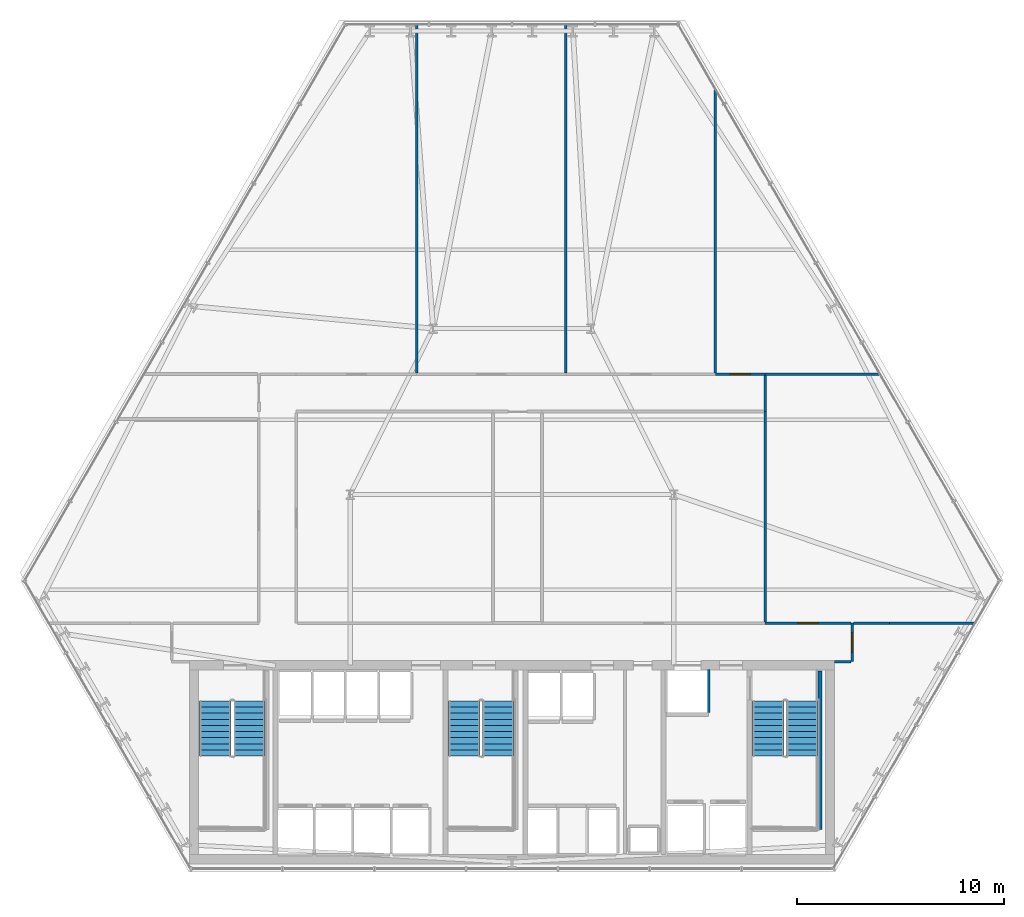
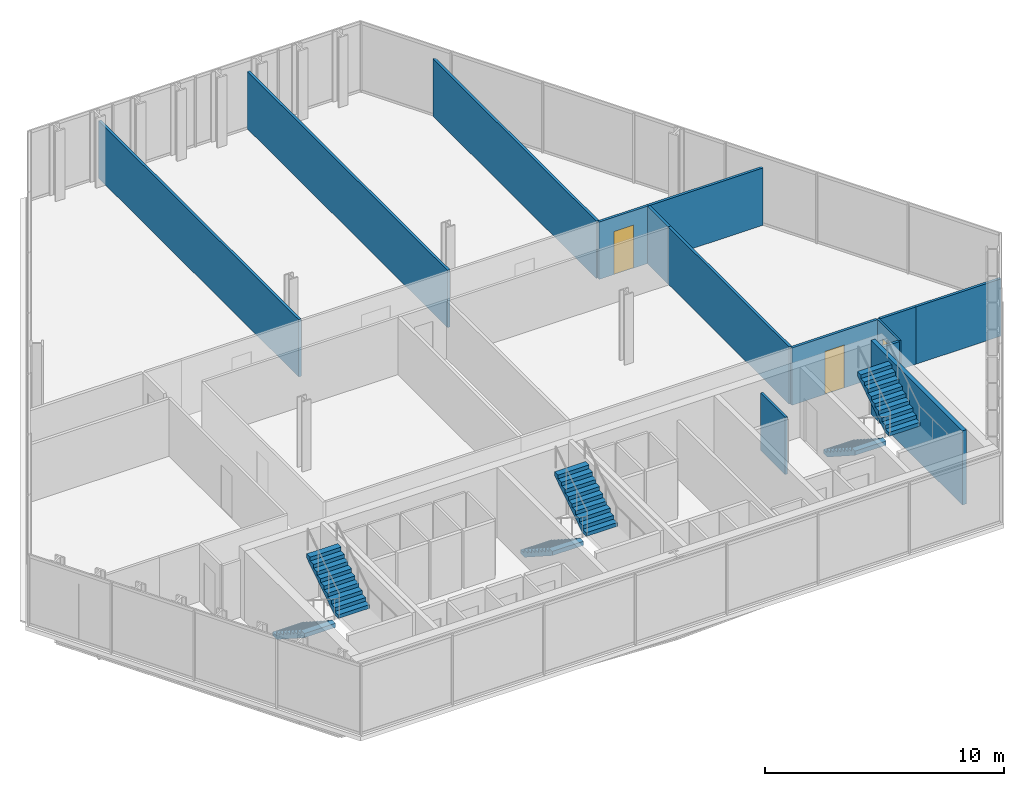
# One storey, part 29 of 32: 14 walls, 6 stair flights, 3 doors, 3 openings, 3 elements without a shape of their own.
"""IFC4 building model written with IfcOpenShell, lengths in metres."""

from ifc_helpers import new_model, si_unit, direction, frame, frame_2d, origin, place, context, subcontext, project, spatial, polyline, rectangle, outline, extrude, material, layer, layer_set, type_object, element, fill, aggregate, save


model = new_model("IFC4")

# Units and contexts
model_context = context("Model", 3, precision=1e-05, world=origin(), true_north=direction((0.0, 1.0)))
body_context = subcontext(model_context, "Body", "Model", "MODEL_VIEW")
ifc_project = project(units=[si_unit("LENGTHUNIT", "METRE"), si_unit("AREAUNIT", "SQUARE_METRE"), si_unit("VOLUMEUNIT", "CUBIC_METRE"), si_unit("PLANEANGLEUNIT", "RADIAN"), si_unit("MASSUNIT", "GRAM", prefix="KILO")], contexts=[model_context])

# Site, building, storey
site_placement = place(None, origin())
site = spatial("IfcSite", under=ifc_project, at=site_placement, CompositionType="ELEMENT")
building_placement = place(site_placement, origin())
building = spatial("IfcBuilding", under=site, at=building_placement, Name="Ndaravel Arena Tower", CompositionType="ELEMENT")
storey_placement = place(building_placement, frame((0.0, 0.0, 47.39990234375)))
storey = spatial("IfcBuildingStorey", under=building, at=storey_placement, Name="L09", CompositionType="ELEMENT", Elevation=47.39990234375)

# Wall, opening, door
ifc_material_1 = material(Name="Timber", Category="wood")
ifc_layer_1 = layer(ifc_material_1, 0.10009765625)
ifc_layer_set_1 = layer_set([ifc_layer_1], Name="Timber")
wall_type_1 = type_object("IfcWallType", Name="WALL-MOVABLE-100", PredefinedType="MOVABLE", material=ifc_layer_set_1)
wall_1_placement = place(storey_placement, frame((58.39990234375, 17.0, 0.0), z_axis=(0.0, 0.0, 1.0), x_axis=(0.0, -1.0, 0.0)))
wall_1 = element("IfcWall", 1, at=wall_1_placement, inside=storey, type_object=wall_type_1, Name="L09 Interior Partition 001", PredefinedType="MOVABLE", context=body_context, shape_type="SweptSolid", body=[
    extrude(rectangle(XDim=1.85009765625, YDim=0.10009765625, at=frame_2d((0.925048828125, 0.0))), origin(), (0.0, 0.0, 1.0), 2.932861328125),
])
opening_1_placement = place(wall_1_placement, frame((0.449951171875, 0.0, 0.0)))
opening_1 = element("IfcOpeningElement", 2, at=opening_1_placement, cuts=wall_1, Name="Opening ID-01", PredefinedType="OPENING", context=body_context, shape_type="SweptSolid", body=[
    extrude(rectangle(XDim=0.949951171875, YDim=2.199951171875, at=frame_2d((0.47509765625, 1.10009765625))), frame((0.0, 0.050048828125, 0.0), z_axis=(0.0, -1.0, 0.0), x_axis=(1.0, 0.0, 0.0)), (0.0, 0.0, 1.0), 0.10009765625),
])
ifc_material_2 = material(Name="Timber", Category="wood")
door_type = type_object("IfcDoorType", Name="DT-03-OFFICE-950", OperationType="SINGLE_SWING_LEFT", PredefinedType="DOOR", material=ifc_material_2)
door_1_placement = place(opening_1_placement, origin())
door_1 = element("IfcDoor", 3, at=door_1_placement, inside=storey, type_object=door_type, Name="L09 Collaborative Lounge Door", OperationType="SINGLE_SWING_LEFT", OverallHeight=2.199951171875, OverallWidth=0.949951171875, PredefinedType="DOOR", context=body_context, shape_type="SweptSolid", body=[
    extrude(rectangle(XDim=0.949951171875, YDim=2.199951171875, at=frame_2d((0.47509765625, 1.10009765625))), frame((0.0, 0.02490234375, 0.0), z_axis=(0.0, -1.0, 0.0), x_axis=(1.0, 0.0, 0.0)), (0.0, 0.0, 1.0), 0.050048828125),
])
fill(opening_1, door_1)

# Wall
ifc_material_3 = material(Name="Gypsum", Category="gypsum")
ifc_layer_2 = layer(ifc_material_3, 0.125)
ifc_layer_set_2 = layer_set([ifc_layer_2], Name="Gypsum")
wall_type_2 = type_object("IfcWallType", Name="WALL-PART-125", PredefinedType="PARTITIONING", material=ifc_layer_set_2)
wall_2_placement = place(storey_placement, frame((58.3349609375, 15.14990234375, 0.0), z_axis=(0.0, 0.0, 1.0), x_axis=(-1.0, 0.0, 0.0)))
element("IfcWall", 4, at=wall_2_placement, inside=storey, type_object=wall_type_2, Name="L09 Interior Partition 002", PredefinedType="PARTITIONING", context=body_context, shape_type="SweptSolid", body=[
    extrude(rectangle(XDim=0.784912109375, YDim=0.125, at=frame_2d((0.392578125, 0.0))), origin(), (0.0, 0.0, 1.0), 2.932861328125),
])

# Wall, opening, door
wall_3_placement = place(storey_placement, frame((51.800048828125, 29.0, 0.0), z_axis=(0.0, 0.0, 1.0), x_axis=(1.0, 0.0, 0.0)))
wall_3 = element("IfcWall", 5, at=wall_3_placement, inside=storey, type_object=wall_type_2, Name="L09 Interior Partition 012", PredefinedType="PARTITIONING", context=body_context, shape_type="SweptSolid", body=[
    extrude(rectangle(XDim=2.39990234375, YDim=0.125, at=frame_2d((1.199951171875, 0.0))), origin(), (0.0, 0.0, 1.0), 2.932861328125),
])
opening_2_placement = place(wall_3_placement, frame((0.72509765625, 0.0, 0.0)))
opening_2 = element("IfcOpeningElement", 6, at=opening_2_placement, cuts=wall_3, Name="Opening ID-01", PredefinedType="OPENING", context=body_context, shape_type="SweptSolid", body=[
    extrude(rectangle(XDim=0.949951171875, YDim=2.199951171875, at=frame_2d((0.47509765625, 1.10009765625))), frame((0.0, 0.0625, 0.0), z_axis=(0.0, -1.0, 0.0), x_axis=(1.0, 0.0, 0.0)), (0.0, 0.0, 1.0), 0.125),
])
door_2_placement = place(opening_2_placement, origin())
door_2 = element("IfcDoor", 7, at=door_2_placement, inside=storey, type_object=door_type, Name="L09 Hospitality Sitting Room 2 Door", OperationType="SINGLE_SWING_RIGHT", OverallHeight=2.199951171875, OverallWidth=0.949951171875, PredefinedType="DOOR", context=body_context, shape_type="SweptSolid", body=[
    extrude(rectangle(XDim=0.949951171875, YDim=2.199951171875, at=frame_2d((0.47509765625, 1.10009765625))), frame((0.0, 0.02490234375, 0.0), z_axis=(0.0, -1.0, 0.0), x_axis=(1.0, 0.0, 0.0)), (0.0, 0.0, 1.0), 0.050048828125),
])
fill(opening_2, door_2)

# Wall
wall_4_placement = place(storey_placement, frame((54.199951171875, 28.93505859375, 0.0), z_axis=(0.0, 0.0, 1.0), x_axis=(0.0, -1.0, 0.0)))
element("IfcWall", 8, at=wall_4_placement, inside=storey, type_object=wall_type_2, Name="L09 Interior Partition 013", PredefinedType="PARTITIONING", context=body_context, shape_type="SweptSolid", body=[
    extrude(rectangle(XDim=1.735107421875, YDim=0.125, at=frame_2d((0.86767578125, 0.0))), origin(), (0.0, 0.0, 1.0), 2.932861328125),
])

# Wall, opening, door
wall_5_placement = place(storey_placement, frame((54.199951171875, 17.0, 0.0), z_axis=(0.0, 0.0, 1.0), x_axis=(1.0, 0.0, 0.0)))
wall_5 = element("IfcWall", 9, at=wall_5_placement, inside=storey, type_object=wall_type_2, Name="L09 Interior Partition 021", PredefinedType="PARTITIONING", context=body_context, shape_type="SweptSolid", body=[
    extrude(rectangle(XDim=4.135009765625, YDim=0.125, at=frame_2d((2.0673828125, 0.0))), origin(), (0.0, 0.0, 1.0), 2.932861328125),
])
opening_3_placement = place(wall_5_placement, frame((1.592529296875, 0.0, 0.0)))
opening_3 = element("IfcOpeningElement", 10, at=opening_3_placement, cuts=wall_5, Name="Opening ID-01", PredefinedType="OPENING", context=body_context, shape_type="SweptSolid", body=[
    extrude(rectangle(XDim=0.949951171875, YDim=2.199951171875, at=frame_2d((0.47509765625, 1.10009765625))), frame((0.0, 0.0625, 0.0), z_axis=(0.0, -1.0, 0.0), x_axis=(1.0, 0.0, 0.0)), (0.0, 0.0, 1.0), 0.125),
])
door_3_placement = place(opening_3_placement, origin())
door_3 = element("IfcDoor", 11, at=door_3_placement, inside=storey, type_object=door_type, Name="L09 Advisory Desk Office 3 Door", OperationType="SINGLE_SWING_RIGHT", OverallHeight=2.199951171875, OverallWidth=0.949951171875, PredefinedType="DOOR", context=body_context, shape_type="SweptSolid", body=[
    extrude(rectangle(XDim=0.949951171875, YDim=2.199951171875, at=frame_2d((0.47509765625, 1.10009765625))), frame((0.0, 0.02490234375, 0.0), z_axis=(0.0, -1.0, 0.0), x_axis=(1.0, 0.0, 0.0)), (0.0, 0.0, 1.0), 0.050048828125),
])
fill(opening_3, door_3)

# Walls
wall_6_placement = place(storey_placement, frame((58.465087890625, 17.0, 0.0), z_axis=(0.0, 0.0, 1.0), x_axis=(1.0, 0.0, 0.0)))
element("IfcWall", 12, at=wall_6_placement, inside=storey, type_object=wall_type_2, Name="L09 Interior Partition 024", PredefinedType="PARTITIONING", context=body_context, shape_type="SweptSolid", body=[
    extrude(rectangle(XDim=1.73486328125, YDim=0.125, at=frame_2d((0.867431640625, 0.0))), origin(), (0.0, 0.0, 1.0), 2.932861328125),
])
wall_7_placement = place(storey_placement, frame((60.199951171875, 17.0, 0.0), z_axis=(0.0, 0.0, 1.0), x_axis=(1.0, 0.0, 0.0)))
element("IfcWall", 13, at=wall_7_placement, inside=storey, type_object=wall_type_2, Name="L09 Interior Partition 025", PredefinedType="PARTITIONING", context=body_context, shape_type="SweptSolid", body=[
    extrude(rectangle(XDim=4.11572265625, YDim=0.125, at=frame_2d((2.057861328125, 0.0))), origin(), (0.0, 0.0, 1.0), 2.932861328125),
])
wall_8_placement = place(storey_placement, frame((54.199951171875, 27.199951171875, 0.0), z_axis=(0.0, 0.0, 1.0), x_axis=(0.0, -1.0, 0.0)))
element("IfcWall", 14, at=wall_8_placement, inside=storey, type_object=wall_type_2, Name="L09 Interior Partition 029", PredefinedType="PARTITIONING", context=body_context, shape_type="SweptSolid", body=[
    extrude(rectangle(XDim=10.135009765625, YDim=0.125, at=frame_2d((5.0673828125, 0.0))), origin(), (0.0, 0.0, 1.0), 2.932861328125),
])
wall_9_placement = place(storey_placement, frame((54.199951171875, 29.0, 0.0), z_axis=(0.0, 0.0, 1.0), x_axis=(1.0, 0.0, 0.0)))
element("IfcWall", 15, at=wall_9_placement, inside=storey, type_object=wall_type_2, Name="L09 Interior Partition 030", PredefinedType="PARTITIONING", context=body_context, shape_type="SweptSolid", body=[
    extrude(rectangle(XDim=5.54248046875, YDim=0.125, at=frame_2d((2.771240234375, 0.0))), origin(), (0.0, 0.0, 1.0), 2.932861328125),
])
wall_10_placement = place(storey_placement, frame((51.800048828125, 29.06494140625, 0.0), z_axis=(0.0, 0.0, 1.0), x_axis=(0.0, 1.0, 0.0)))
element("IfcWall", 16, at=wall_10_placement, inside=storey, type_object=wall_type_2, Name="L09 Interior Partition 032", PredefinedType="PARTITIONING", context=body_context, shape_type="SweptSolid", body=[
    extrude(rectangle(XDim=13.69189453125, YDim=0.125, at=frame_2d((6.845947265625, 0.0))), origin(), (0.0, 0.0, 1.0), 2.932861328125),
])
for number, where, z_axis, x_axis, name in (
    (17, (37.39990234375, 45.851318359375, 0.0), (0.0, 0.0, 1.0), (0.0, -1.0, 0.0), "L09 Interior Partition 033"),
    (18, (44.60009765625, 29.06494140625, 0.0), (0.0, 0.0, 1.0), (0.0, 1.0, 0.0), "L09 Interior Partition 034"),
):
    element("IfcWall", number, at=place(storey_placement, frame(where, z_axis=z_axis, x_axis=x_axis)), inside=storey, type_object=wall_type_2, Name=name, PredefinedType="PARTITIONING", context=body_context, shape_type="SweptSolid", body=[
        extrude(rectangle(XDim=16.786376953125, YDim=0.125, at=frame_2d((8.39306640625, 0.0))), origin(), (0.0, 0.0, 1.0), 2.932861328125),
    ])
ifc_material_4 = material(Name="Concrete C40/50", Category="concrete")
ifc_layer_3 = layer(ifc_material_4, 0.1201171875)
ifc_layer_set_3 = layer_set([ifc_layer_3], Name="Concrete C40/50")
wall_type_3 = type_object("IfcWallType", Name="WALL-SHAFT-120", PredefinedType="SOLIDWALL", material=ifc_layer_set_3)
wall_11_placement = place(storey_placement, frame((51.47998046875, 12.68994140625, 0.0), z_axis=(0.0, 0.0, 1.0), x_axis=(0.0, 1.0, 0.0)))
element("IfcWall", 19, at=wall_11_placement, inside=storey, type_object=wall_type_3, Name="L09 SVL-1 Shaft E Wall", PredefinedType="SOLIDWALL", context=body_context, shape_type="SweptSolid", body=[
    extrude(rectangle(XDim=2.070068359375, YDim=0.1201171875, at=frame_2d((1.03515625, 0.0))), origin(), (0.0, 0.0, 1.0), 2.932861328125),
])
ifc_material_5 = material(Name="Concrete C40/50", Category="concrete")
ifc_layer_4 = layer(ifc_material_5, 0.199951171875)
ifc_layer_set_4 = layer_set([ifc_layer_4], Name="Concrete C40/50")
wall_type_4 = type_object("IfcWallType", Name="WALL-SHAFT-200", PredefinedType="SOLIDWALL", material=ifc_layer_set_4)
wall_12_placement = place(storey_placement, frame((56.840087890625, 14.699951171875, 0.0), z_axis=(0.0, 0.0, 1.0), x_axis=(0.0, -1.0, 0.0)))
element("IfcWall", 20, at=wall_12_placement, inside=storey, type_object=wall_type_4, Name="L09 ST-3 Structural Shaft Wall Right", PredefinedType="SOLIDWALL", context=body_context, shape_type="SweptSolid", body=[
    extrude(rectangle(XDim=7.64990234375, YDim=0.199951171875, at=frame_2d((3.824951171875, 0.0))), origin(), (0.0, 0.0, 1.0), 3.800048828125),
])

# Stair, stair flights
ifc_material_6 = material(Name="Concrete C40/50", Category="concrete")
stair_type = type_object("IfcStairType", Name="STAIR-CORE-HT", PredefinedType="HALF_TURN_STAIR", material=ifc_material_6)
stair_1_placement = place(storey_placement, origin())
stair_1 = element("IfcStair", 21, at=stair_1_placement, inside=storey, type_object=stair_type, Name="L09 ST-1", PredefinedType="HALF_TURN_STAIR")
ifc_material_7 = material(Name="Concrete C40/50", Category="concrete")
stair_flight_type = type_object("IfcStairFlightType", Name="SFLIGHT-CORE-1680", PredefinedType="STRAIGHT", material=ifc_material_7)
stair_flight_1_placement = place(storey_placement, frame((27.699951171875, 13.25, 0.0), z_axis=(0.0, 0.0, 1.0), x_axis=(0.0, -1.0, 0.0)))
stair_flight_1 = element("IfcStairFlight", 22, at=stair_flight_1_placement, type_object=stair_flight_type, Name="ST-1 flight 1", NumberOfRisers=10, NumberOfTreads=9, PredefinedType="STRAIGHT", RiserHeight=0.19, TreadLength=0.295, context=body_context, shape_type="SweptSolid", body=[
    extrude(outline(polyline([(0.0, 0.0), (0.0, 0.18994140625), (0.294921875, 0.18994140625), (0.294921875, 0.3798828125), (0.590087890625, 0.3798828125), (0.590087890625, 0.570068359375), (0.885009765625, 0.570068359375), (0.885009765625, 0.760009765625), (1.179931640625, 0.760009765625), (1.179931640625, 0.949951171875), (1.47509765625, 0.949951171875), (1.47509765625, 1.139892578125), (1.77001953125, 1.139892578125), (1.77001953125, 1.330078125), (2.06494140625, 1.330078125), (2.06494140625, 1.52001953125), (2.360107421875, 1.52001953125), (2.360107421875, 1.7099609375), (2.655029296875, 1.7099609375), (2.655029296875, 1.89990234375), (2.655029296875, 1.49609375), (0.332275390625, 0.0), (0.0, 0.0)])), frame((0.0, 0.75, 0.0), z_axis=(0.0, -1.0, 0.0), x_axis=(1.0, 0.0, 0.0)), (0.0, 0.0, 1.0), 1.5),
])
stair_flight_2_placement = place(storey_placement, frame((29.340087890625, 10.594970703125, 1.900146484375), z_axis=(0.0, 0.0, 1.0), x_axis=(0.0, 1.0, 0.0)))
stair_flight_2 = element("IfcStairFlight", 23, at=stair_flight_2_placement, type_object=stair_flight_type, Name="ST-1 flight 2", NumberOfRisers=10, NumberOfTreads=9, PredefinedType="STRAIGHT", RiserHeight=0.19, TreadLength=0.295, context=body_context, shape_type="SweptSolid", body=[
    extrude(outline(polyline([(0.0, 0.0), (0.0, 0.18994140625), (0.294921875, 0.18994140625), (0.294921875, 0.3798828125), (0.590087890625, 0.3798828125), (0.590087890625, 0.570068359375), (0.885009765625, 0.570068359375), (0.885009765625, 0.760009765625), (1.179931640625, 0.760009765625), (1.179931640625, 0.949951171875), (1.47509765625, 0.949951171875), (1.47509765625, 1.139892578125), (1.77001953125, 1.139892578125), (1.77001953125, 1.330078125), (2.06494140625, 1.330078125), (2.06494140625, 1.52001953125), (2.360107421875, 1.52001953125), (2.360107421875, 1.7099609375), (2.655029296875, 1.7099609375), (2.655029296875, 1.89990234375), (2.655029296875, 1.49609375), (0.332275390625, 0.0), (0.0, 0.0)])), frame((0.0, 0.75, 0.0), z_axis=(0.0, -1.0, 0.0), x_axis=(1.0, 0.0, 0.0)), (0.0, 0.0, 1.0), 1.5),
])
aggregate(stair_1, [stair_flight_1, stair_flight_2])

stair_2_placement = place(storey_placement, origin())
stair_2 = element("IfcStair", 24, at=stair_2_placement, inside=storey, type_object=stair_type, Name="L09 ST-2", PredefinedType="HALF_TURN_STAIR")
stair_flight_3_placement = place(storey_placement, frame((39.699951171875, 13.25, 0.0), z_axis=(0.0, 0.0, 1.0), x_axis=(0.0, -1.0, 0.0)))
stair_flight_3 = element("IfcStairFlight", 25, at=stair_flight_3_placement, type_object=stair_flight_type, Name="ST-2 flight 1", NumberOfRisers=10, NumberOfTreads=9, PredefinedType="STRAIGHT", RiserHeight=0.19, TreadLength=0.295, context=body_context, shape_type="SweptSolid", body=[
    extrude(outline(polyline([(0.0, 0.0), (0.0, 0.18994140625), (0.294921875, 0.18994140625), (0.294921875, 0.3798828125), (0.590087890625, 0.3798828125), (0.590087890625, 0.570068359375), (0.885009765625, 0.570068359375), (0.885009765625, 0.760009765625), (1.179931640625, 0.760009765625), (1.179931640625, 0.949951171875), (1.47509765625, 0.949951171875), (1.47509765625, 1.139892578125), (1.77001953125, 1.139892578125), (1.77001953125, 1.330078125), (2.06494140625, 1.330078125), (2.06494140625, 1.52001953125), (2.360107421875, 1.52001953125), (2.360107421875, 1.7099609375), (2.655029296875, 1.7099609375), (2.655029296875, 1.89990234375), (2.655029296875, 1.49609375), (0.332275390625, 0.0), (0.0, 0.0)])), frame((0.0, 0.75, 0.0), z_axis=(0.0, -1.0, 0.0), x_axis=(1.0, 0.0, 0.0)), (0.0, 0.0, 1.0), 1.5),
])
stair_flight_4_placement = place(storey_placement, frame((41.340087890625, 10.594970703125, 1.900146484375), z_axis=(0.0, 0.0, 1.0), x_axis=(0.0, 1.0, 0.0)))
stair_flight_4 = element("IfcStairFlight", 26, at=stair_flight_4_placement, type_object=stair_flight_type, Name="ST-2 flight 2", NumberOfRisers=10, NumberOfTreads=9, PredefinedType="STRAIGHT", RiserHeight=0.19, TreadLength=0.295, context=body_context, shape_type="SweptSolid", body=[
    extrude(outline(polyline([(0.0, 0.0), (0.0, 0.18994140625), (0.294921875, 0.18994140625), (0.294921875, 0.3798828125), (0.590087890625, 0.3798828125), (0.590087890625, 0.570068359375), (0.885009765625, 0.570068359375), (0.885009765625, 0.760009765625), (1.179931640625, 0.760009765625), (1.179931640625, 0.949951171875), (1.47509765625, 0.949951171875), (1.47509765625, 1.139892578125), (1.77001953125, 1.139892578125), (1.77001953125, 1.330078125), (2.06494140625, 1.330078125), (2.06494140625, 1.52001953125), (2.360107421875, 1.52001953125), (2.360107421875, 1.7099609375), (2.655029296875, 1.7099609375), (2.655029296875, 1.89990234375), (2.655029296875, 1.49609375), (0.332275390625, 0.0), (0.0, 0.0)])), frame((0.0, 0.75, 0.0), z_axis=(0.0, -1.0, 0.0), x_axis=(1.0, 0.0, 0.0)), (0.0, 0.0, 1.0), 1.5),
])
aggregate(stair_2, [stair_flight_3, stair_flight_4])

stair_3_placement = place(storey_placement, origin())
stair_3 = element("IfcStair", 27, at=stair_3_placement, inside=storey, type_object=stair_type, Name="L09 ST-3", PredefinedType="HALF_TURN_STAIR")
stair_flight_5_placement = place(storey_placement, frame((54.35009765625, 13.25, 0.0), z_axis=(0.0, 0.0, 1.0), x_axis=(0.0, -1.0, 0.0)))
stair_flight_5 = element("IfcStairFlight", 28, at=stair_flight_5_placement, type_object=stair_flight_type, Name="ST-3 flight 1", NumberOfRisers=10, NumberOfTreads=9, PredefinedType="STRAIGHT", RiserHeight=0.19, TreadLength=0.295, context=body_context, shape_type="SweptSolid", body=[
    extrude(outline(polyline([(0.0, 0.0), (0.0, 0.18994140625), (0.294921875, 0.18994140625), (0.294921875, 0.3798828125), (0.590087890625, 0.3798828125), (0.590087890625, 0.570068359375), (0.885009765625, 0.570068359375), (0.885009765625, 0.760009765625), (1.179931640625, 0.760009765625), (1.179931640625, 0.949951171875), (1.47509765625, 0.949951171875), (1.47509765625, 1.139892578125), (1.77001953125, 1.139892578125), (1.77001953125, 1.330078125), (2.06494140625, 1.330078125), (2.06494140625, 1.52001953125), (2.360107421875, 1.52001953125), (2.360107421875, 1.7099609375), (2.655029296875, 1.7099609375), (2.655029296875, 1.89990234375), (2.655029296875, 1.49609375), (0.332275390625, 0.0), (0.0, 0.0)])), frame((0.0, 0.75, 0.0), z_axis=(0.0, -1.0, 0.0), x_axis=(1.0, 0.0, 0.0)), (0.0, 0.0, 1.0), 1.5),
])
stair_flight_6_placement = place(storey_placement, frame((55.989990234375, 10.594970703125, 1.900146484375), z_axis=(0.0, 0.0, 1.0), x_axis=(0.0, 1.0, 0.0)))
stair_flight_6 = element("IfcStairFlight", 29, at=stair_flight_6_placement, type_object=stair_flight_type, Name="ST-3 flight 2", NumberOfRisers=10, NumberOfTreads=9, PredefinedType="STRAIGHT", RiserHeight=0.19, TreadLength=0.295, context=body_context, shape_type="SweptSolid", body=[
    extrude(outline(polyline([(0.0, 0.0), (0.0, 0.18994140625), (0.294921875, 0.18994140625), (0.294921875, 0.3798828125), (0.590087890625, 0.3798828125), (0.590087890625, 0.570068359375), (0.885009765625, 0.570068359375), (0.885009765625, 0.760009765625), (1.179931640625, 0.760009765625), (1.179931640625, 0.949951171875), (1.47509765625, 0.949951171875), (1.47509765625, 1.139892578125), (1.77001953125, 1.139892578125), (1.77001953125, 1.330078125), (2.06494140625, 1.330078125), (2.06494140625, 1.52001953125), (2.360107421875, 1.52001953125), (2.360107421875, 1.7099609375), (2.655029296875, 1.7099609375), (2.655029296875, 1.89990234375), (2.655029296875, 1.49609375), (0.332275390625, 0.0), (0.0, 0.0)])), frame((0.0, 0.75, 0.0), z_axis=(0.0, -1.0, 0.0), x_axis=(1.0, 0.0, 0.0)), (0.0, 0.0, 1.0), 1.5),
])
aggregate(stair_3, [stair_flight_5, stair_flight_6])

save(model, "model.ifc")
